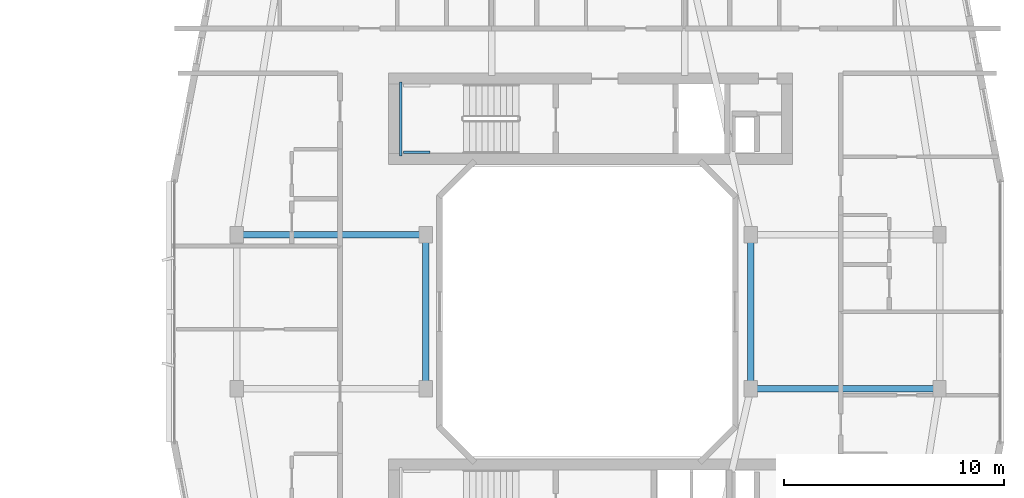
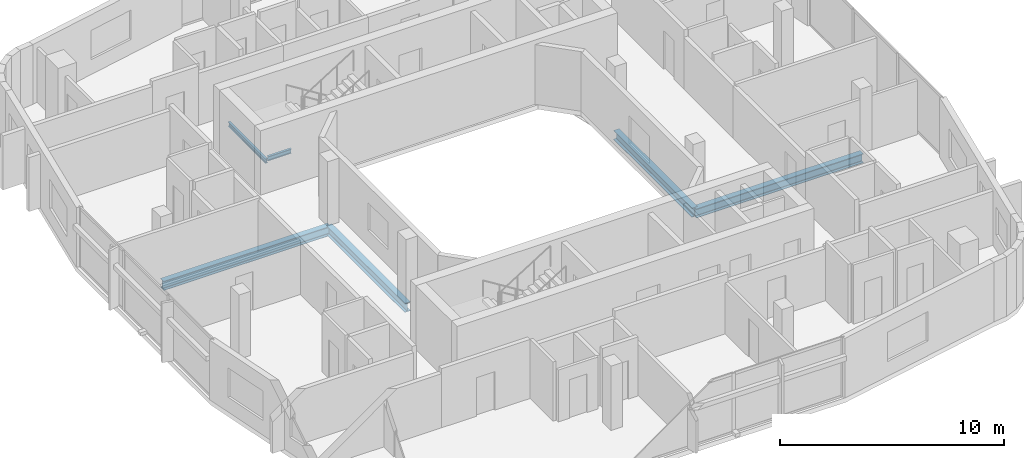
# One storey, part 9 of 27: 6 beams.
"""IFC4 building model written with IfcOpenShell, lengths in metres."""

from ifc_helpers import new_model, si_unit, derived_unit, direction, frame, origin, origin_2d, place, context, subcontext, project, spatial, i_section, extrude, material, material_profile, profile_set, type_object, element, save


model = new_model("IFC4")

# Units and contexts
model_context = context("Model", 3, precision=1e-05, world=origin(), true_north=direction((0.0, 1.0)))
body_context = subcontext(model_context, "Body", "Model", "MODEL_VIEW")
ifc_project = project(units=[si_unit("LENGTHUNIT", "METRE"), si_unit("AREAUNIT", "SQUARE_METRE"), si_unit("VOLUMEUNIT", "CUBIC_METRE"), si_unit("PLANEANGLEUNIT", "RADIAN"), si_unit("MASSUNIT", "GRAM", prefix="KILO"), derived_unit("THERMALTRANSMITTANCEUNIT", [(si_unit("POWERUNIT", "WATT"), 1), (si_unit("LENGTHUNIT", "METRE"), -2), (si_unit("THERMODYNAMICTEMPERATUREUNIT", "KELVIN"), -1)])], contexts=[model_context])

# Site, building, storey
site_placement = place(None, origin())
site = spatial("IfcSite", under=ifc_project, at=site_placement, CompositionType="ELEMENT")
building_placement = place(site_placement, origin())
building = spatial("IfcBuilding", under=site, at=building_placement, Name="Kivonza Crest Hotel", CompositionType="ELEMENT")
storey_placement = place(building_placement, frame((0.0, 0.0, 76.5)))
storey = spatial("IfcBuildingStorey", under=building, at=storey_placement, Name="L20", CompositionType="ELEMENT", Elevation=76.5)

# Beams
ifc_material = material(Name="Steel S355", Category="steel")
ifc_material_profile_1 = material_profile(ifc_material, i_section(OverallWidth=0.300048828125, OverallDepth=0.5, WebThickness=0.014404296875, FlangeThickness=0.028076171875, FilletRadius=0.027099609375, at=origin_2d()), Name="HEB 500")
ifc_profile_set_1 = profile_set([ifc_material_profile_1], Name="Steel S355")
beam_type_1 = type_object("IfcBeamType", Name="BM-HEB500", PredefinedType="BEAM", material=ifc_profile_set_1)
beam_1_placement = place(storey_placement, frame((61.0, 28.5, -0.5), z_axis=(1.0, 0.0, 0.0), x_axis=(0.0, 1.0, 0.0)))
element("IfcBeam", 1, at=beam_1_placement, inside=storey, type_object=beam_type_1, Name="Companion Tower T2 L20 girder W2-WL2", PredefinedType="BEAM", context=body_context, shape_type="SweptSolid", body=[
    extrude(i_section(OverallWidth=0.300048828125, OverallDepth=0.5, WebThickness=0.014404296875, FlangeThickness=0.028076171875, FilletRadius=0.027099609375, at=origin_2d()), origin(), (0.0, 0.0, 1.0), 8.60009765625),
])
beam_2_placement = place(storey_placement, frame((69.60009765625, 21.5, -0.5), z_axis=(0.0, 1.0, 0.0), x_axis=(-1.0, 0.0, 0.0)))
element("IfcBeam", 2, at=beam_2_placement, inside=storey, type_object=beam_type_1, Name="Companion Tower T2 L20 girder WL1-WL2", PredefinedType="BEAM", context=body_context, shape_type="SweptSolid", body=[
    extrude(i_section(OverallWidth=0.300048828125, OverallDepth=0.5, WebThickness=0.014404296875, FlangeThickness=0.028076171875, FilletRadius=0.027099609375, at=origin_2d()), origin(), (0.0, 0.0, 1.0), 7.0),
])
beam_3_placement = place(storey_placement, frame((84.39990234375, 21.5, -0.5), z_axis=(1.0, 0.0, 0.0), x_axis=(0.0, 1.0, 0.0)))
element("IfcBeam", 3, at=beam_3_placement, inside=storey, type_object=beam_type_1, Name="Companion Tower T2 L20 girder WR1-E1", PredefinedType="BEAM", context=body_context, shape_type="SweptSolid", body=[
    extrude(i_section(OverallWidth=0.300048828125, OverallDepth=0.5, WebThickness=0.014404296875, FlangeThickness=0.028076171875, FilletRadius=0.027099609375, at=origin_2d()), origin(), (0.0, 0.0, 1.0), 8.60009765625),
])
beam_4_placement = place(storey_placement, frame((84.39990234375, 21.5, -0.5), z_axis=(0.0, 1.0, 0.0), x_axis=(-1.0, 0.0, 0.0)))
element("IfcBeam", 4, at=beam_4_placement, inside=storey, type_object=beam_type_1, Name="Companion Tower T2 L20 girder WR1-WR2", PredefinedType="BEAM", context=body_context, shape_type="SweptSolid", body=[
    extrude(i_section(OverallWidth=0.300048828125, OverallDepth=0.5, WebThickness=0.014404296875, FlangeThickness=0.028076171875, FilletRadius=0.027099609375, at=origin_2d()), origin(), (0.0, 0.0, 1.0), 7.0),
])
ifc_material_profile_2 = material_profile(ifc_material, i_section(OverallWidth=0.1201171875, OverallDepth=0.239990234375, WebThickness=0.006103515625, FlangeThickness=0.009765625, FilletRadius=0.014892578125, at=origin_2d()), Name="IPE 240")
ifc_profile_set_2 = profile_set([ifc_material_profile_2], Name="Steel S355")
beam_type_2 = type_object("IfcBeamType", Name="BM-LLDG-240", PredefinedType="BEAM", material=ifc_profile_set_2)
beam_5_placement = place(storey_placement, frame((68.4599609375, 32.10009765625, 1.429931640625), z_axis=(0.0, 1.0, 0.0), x_axis=(-1.0, 0.0, 0.0)))
element("IfcBeam", 5, at=beam_5_placement, inside=storey, type_object=beam_type_2, Name="Stair ST-T2-N L20 West landing corbel", PredefinedType="BEAM", context=body_context, shape_type="SweptSolid", body=[
    extrude(i_section(OverallWidth=0.1201171875, OverallDepth=0.239990234375, WebThickness=0.006103515625, FlangeThickness=0.009765625, FilletRadius=0.014892578125, at=origin_2d()), origin(), (0.0, 0.0, 1.0), 3.35986328125),
])
beam_6_placement = place(storey_placement, frame((68.590087890625, 32.260009765625, 1.429931640625), z_axis=(1.0, 0.0, 0.0), x_axis=(0.0, 1.0, 0.0)))
element("IfcBeam", 6, at=beam_6_placement, inside=storey, type_object=beam_type_2, Name="Stair ST-T2-N L20 South landing corbel", PredefinedType="BEAM", context=body_context, shape_type="SweptSolid", body=[
    extrude(i_section(OverallWidth=0.1201171875, OverallDepth=0.239990234375, WebThickness=0.006103515625, FlangeThickness=0.009765625, FilletRadius=0.014892578125, at=origin_2d()), origin(), (0.0, 0.0, 1.0), 1.2099609375),
])

save(model, "model.ifc")
